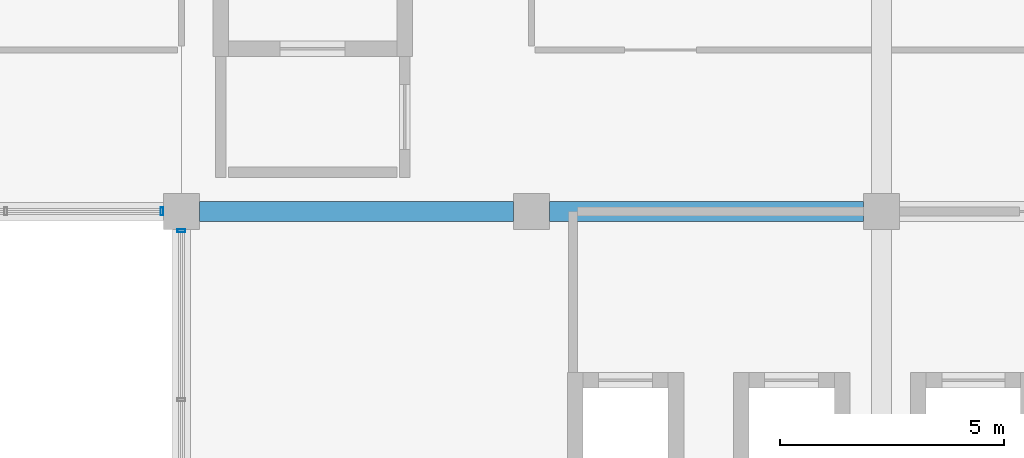
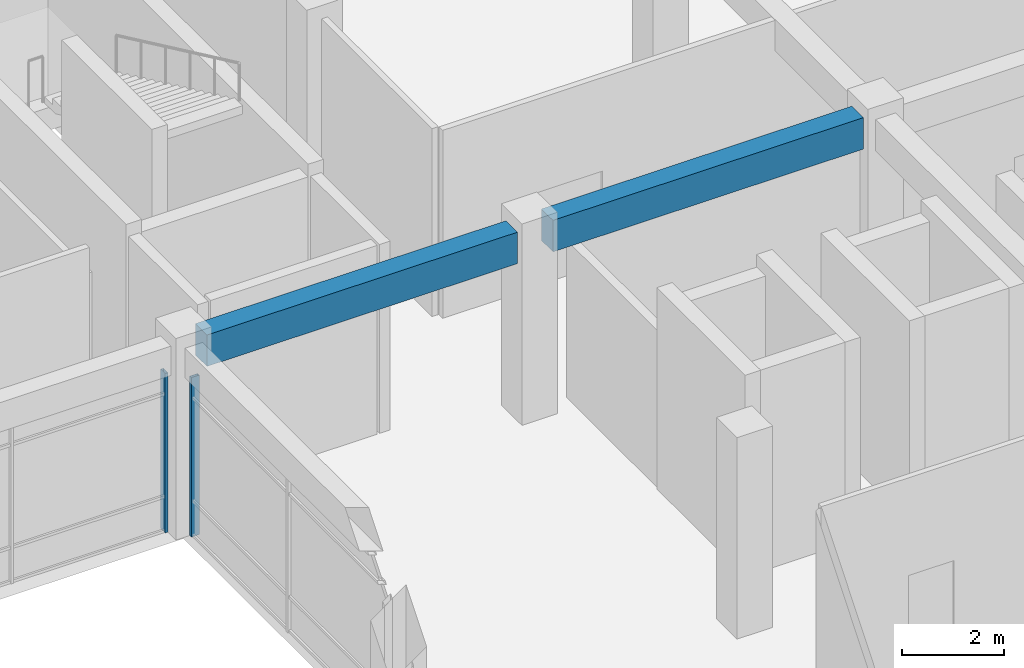
# One storey, part 27 of 62: 2 beams, 2 members, 2 elements without a shape of their own.
"""IFC4 building model written with IfcOpenShell, lengths in metres."""

import ifcopenshell
import ifcopenshell.guid

model = None  # the IFC model being written
_history = None  # IfcOwnerHistory: only IFC2X3 demands one
_inside = {}  # id of a spatial element -> (the spatial element, [elements in it])
_under = {}  # id of a project, library or spatial element -> (it, [spatial elements below it])
_declared = {}  # id of a project -> (the project, [libraries it declares])
_typed = {}  # id of a type object -> (the type object, [elements of that type])
_made_of = {}  # id of a material, layer set ... -> (it, [elements and type objects made of it])


def new_model(schema):
    """Start an empty IFC model of exactly this schema.

    Asked for "IFC4X3", IfcOpenShell would pick the latest addendum, in which some entities
    have other attributes; the version numbers below select the first issue.
    IFC2X3 requires an IfcOwnerHistory on every rooted entity: one is made here for all.
    """
    global model, _history
    if schema == "IFC4X3":
        model = ifcopenshell.file(schema_version=(4, 3, 0, 0))
    else:
        model = ifcopenshell.file(schema=schema)
    _inside.clear()
    _under.clear()
    _declared.clear()
    _typed.clear()
    _made_of.clear()
    _history = None
    if model.schema == "IFC2X3":
        org = make("IfcOrganization", Name="unknown")
        user = make(
            "IfcPersonAndOrganization",
            ThePerson=make("IfcPerson", FamilyName="unknown"),
            TheOrganization=org,
        )
        app = make(
            "IfcApplication",
            ApplicationDeveloper=org,
            Version="unknown",
            ApplicationFullName="unknown",
            ApplicationIdentifier="unknown",
        )
        _history = make(
            "IfcOwnerHistory",
            OwningUser=user,
            OwningApplication=app,
            ChangeAction="ADDED",
            CreationDate=0,
        )
    return model


def make(cls, **values):
    """One entity of the class cls with the attributes given. An attribute that is None is left unset."""
    return model.create_entity(
        cls, **{name: value for name, value in values.items() if value is not None}
    )


def rooted(cls, **values):
    """An entity with a GlobalId (a new one), such as an element, a storey or a relation."""
    return make(cls, GlobalId=ifcopenshell.guid.new(), OwnerHistory=_history, **values)


def si_unit(unit_type, name, prefix=None):
    """IfcSIUnit, for example si_unit("LENGTHUNIT", "METRE", prefix="MILLI")."""
    return make("IfcSIUnit", UnitType=unit_type, Prefix=prefix, Name=name)


def assignment(units):
    """IfcUnitAssignment: the units of a project."""
    return None if units is None else make("IfcUnitAssignment", Units=units)


def point(xyz):
    """IfcCartesianPoint."""
    return None if xyz is None else make("IfcCartesianPoint", Coordinates=xyz)


def direction(xyz):
    """IfcDirection."""
    return None if xyz is None else make("IfcDirection", DirectionRatios=xyz)


def frame(location, z_axis=None, x_axis=None):
    """IfcAxis2Placement3D, a coordinate frame: its origin and axes. An axis left out is left unset."""
    return make(
        "IfcAxis2Placement3D",
        Location=point(location),
        Axis=direction(z_axis),
        RefDirection=direction(x_axis),
    )


def frame_2d(location, x_axis=None):
    """IfcAxis2Placement2D, a coordinate frame in the plane: its origin and x axis."""
    return make(
        "IfcAxis2Placement2D", Location=point(location), RefDirection=direction(x_axis)
    )


def origin():
    """The frame at (0, 0, 0) with its axes left unset."""
    return frame((0.0, 0.0, 0.0))


def origin_2d():
    """The frame at (0, 0) in the plane with its x axis left unset."""
    return frame_2d((0.0, 0.0))


def place(relative_to, where):
    """IfcLocalPlacement: puts the frame where relative to a parent placement (None: the world)."""
    return make(
        "IfcLocalPlacement", PlacementRelTo=relative_to, RelativePlacement=where
    )


def context(
    kind, dimensions, precision=None, world=None, true_north=None, identifier=None
):
    """IfcGeometricRepresentationContext, for example the 3D "Model" context."""
    return make(
        "IfcGeometricRepresentationContext",
        ContextIdentifier=identifier,
        ContextType=kind,
        CoordinateSpaceDimension=dimensions,
        Precision=precision,
        WorldCoordinateSystem=world,
        TrueNorth=true_north,
    )


def subcontext(parent, identifier, kind, view, scale=None):
    """IfcGeometricRepresentationSubContext, for example "Body" below "Model"."""
    return make(
        "IfcGeometricRepresentationSubContext",
        ContextIdentifier=identifier,
        ContextType=kind,
        ParentContext=parent,
        TargetScale=scale,
        TargetView=view,
    )


def project(units=None, contexts=None):
    """IfcProject with its units and contexts."""
    return rooted(
        "IfcProject",
        Name="project",
        RepresentationContexts=contexts,
        UnitsInContext=assignment(units),
    )


def spatial(cls, under=None, at=None, **own):
    """A site, building, storey or space (cls), placed at a placement, below another one or the project."""
    s = rooted(cls, ObjectPlacement=at, **own)
    if under is not None:
        _under.setdefault(under.id(), (under, []))[1].append(s)
    return s


def profile(cls, at=None, kind="AREA", **sizes):
    """A parametric profile (cls). Its sizes go by their IFC names, for example OverallWidth=200.0."""
    return make(cls, ProfileType=kind, Position=at, **sizes)


def rectangle(**sizes):
    """IfcRectangleProfileDef."""
    return profile("IfcRectangleProfileDef", **sizes)


def hollow_rectangle(**sizes):
    """IfcRectangleHollowProfileDef."""
    return profile("IfcRectangleHollowProfileDef", **sizes)


def extrude(swept, where, along, depth):
    """IfcExtrudedAreaSolid: the profile swept, set in the frame where, extruded along a direction by depth."""
    return make(
        "IfcExtrudedAreaSolid",
        SweptArea=swept,
        Position=where,
        ExtrudedDirection=direction(along),
        Depth=depth,
    )


def shape(context_of_items, identifier, shape_type, items):
    """IfcShapeRepresentation: the items that make up one representation, for example the "Body"."""
    return make(
        "IfcShapeRepresentation",
        ContextOfItems=context_of_items,
        RepresentationIdentifier=identifier,
        RepresentationType=shape_type,
        Items=items,
    )


def material(Name=None, Category=None):
    """IfcMaterial."""
    return make("IfcMaterial", Name=Name, Category=Category)


def material_profile(
    of_material, cross_section, Name=None, Category=None, Priority=None
):
    """IfcMaterialProfile: a cross section and its material."""
    return make(
        "IfcMaterialProfile",
        Name=Name,
        Material=of_material,
        Profile=cross_section,
        Priority=Priority,
        Category=Category,
    )


def profile_set(profiles, Name=None, composite=None):
    """IfcMaterialProfileSet."""
    return make(
        "IfcMaterialProfileSet",
        Name=Name,
        MaterialProfiles=profiles,
        CompositeProfile=composite,
    )


def made_of(thing, what):
    """Note that an element or type object is made of a material, layer set ...; save() writes the relation."""
    if what is not None:
        _made_of.setdefault(what.id(), (what, []))[1].append(thing)
    return thing


def type_object(cls, material=None, **own):
    """A type object (cls), such as IfcWallType, which elements share."""
    return made_of(rooted(cls, **own), material)


def element(
    cls,
    number,
    at=None,
    inside=None,
    cuts=None,
    type_object=None,
    material=None,
    context=None,
    identifier="Body",
    shape_type=None,
    held_by="IfcProductDefinitionShape",
    body=None,
    shapes=None,
    **own,
):
    """One element of the class cls, such as IfcWall. Its Tag is "e" and its number.

    at: its placement. inside: the storey or other place that contains it. cuts: it is an
    opening in that element (IfcRelVoidsElement). A single representation is given by context,
    identifier, shape_type and body (its items); several are given by shapes. held_by: the class
    of the entity that holds the representations. save() writes the other relations.
    """
    e = rooted(cls, Tag="e%d" % number, ObjectPlacement=at, **own)
    if body is not None:
        shapes = [shape(context, identifier, shape_type, body)]
    if shapes is not None:
        e.Representation = make(held_by, Representations=shapes)
    if inside is not None:
        _inside.setdefault(inside.id(), (inside, []))[1].append(e)
    if cuts is not None:
        rooted(
            "IfcRelVoidsElement", RelatingBuildingElement=cuts, RelatedOpeningElement=e
        )
    if type_object is not None:
        _typed.setdefault(type_object.id(), (type_object, []))[1].append(e)
    return made_of(e, material)


def aggregate(whole, parts):
    """IfcRelAggregates: a whole, such as a stair, and the parts it consists of."""
    return rooted("IfcRelAggregates", RelatingObject=whole, RelatedObjects=parts)


def save(model, path):
    """Write the relations noted so far, then the file.

    IfcRelAggregates (storeys below a building ...), IfcRelContainedInSpatialStructure (elements
    in a storey), IfcRelDefinesByType, IfcRelAssociatesMaterial and IfcRelDeclares: one each for
    every whole, place, type object, material and project.
    """
    for whole, parts in _under.values():
        aggregate(whole, parts)
    for where, things in _inside.values():
        rooted(
            "IfcRelContainedInSpatialStructure",
            RelatedElements=things,
            RelatingStructure=where,
        )
    for kind, things in _typed.values():
        rooted("IfcRelDefinesByType", RelatedObjects=things, RelatingType=kind)
    for what, things in _made_of.values():
        rooted("IfcRelAssociatesMaterial", RelatedObjects=things, RelatingMaterial=what)
    for by, libraries in _declared.values():
        rooted("IfcRelDeclares", RelatingContext=by, RelatedDefinitions=libraries)
    model.write(path)


model = new_model("IFC4")

# Units and contexts
model_context = context("Model", 3, precision=1e-05, world=origin(), true_north=direction((0.0, 1.0)))
body_context = subcontext(model_context, "Body", "Model", "MODEL_VIEW")
ifc_project = project(units=[si_unit("LENGTHUNIT", "METRE"), si_unit("AREAUNIT", "SQUARE_METRE"), si_unit("VOLUMEUNIT", "CUBIC_METRE"), si_unit("PLANEANGLEUNIT", "RADIAN"), si_unit("MASSUNIT", "GRAM", prefix="KILO"), si_unit("THERMODYNAMICTEMPERATUREUNIT", "KELVIN"), si_unit("POWERUNIT", "WATT")], contexts=[model_context])

# Site, building, storey
site_placement = place(None, origin())
site = spatial("IfcSite", under=ifc_project, at=site_placement, CompositionType="ELEMENT")
building_placement = place(site_placement, origin())
building = spatial("IfcBuilding", under=site, at=building_placement, Name="Srebrne Nadtorze General Hospital", CompositionType="ELEMENT")
storey_placement = place(building_placement, frame((0.0, 0.0, 9.60009765625)))
storey = spatial("IfcBuildingStorey", under=building, at=storey_placement, Name="L02", CompositionType="ELEMENT", Elevation=9.60009765625)

# Curtain wall, member
ifc_material_1 = material(Name="Anodised Aluminium", Category="aluminium")
curtain_wall_type_1 = type_object("IfcCurtainWallType", Name="Unitised curtain wall 7025x3800", PredefinedType="NOTDEFINED", material=ifc_material_1)
curtain_wall_1_placement = place(storey_placement, origin())
curtain_wall_1 = element("IfcCurtainWall", 1, at=curtain_wall_1_placement, inside=storey, type_object=curtain_wall_type_1, Name="Curtain wall CW-081", PredefinedType="NOTDEFINED")
ifc_material_2 = material(Name="Anodised Aluminium", Category="aluminium")
ifc_material_profile_1 = material_profile(ifc_material_2, hollow_rectangle(XDim=0.06494140625, YDim=0.179931640625, WallThickness=0.00390625, at=origin_2d()), Name="AL-MUL-65x180")
ifc_profile_set_1 = profile_set([ifc_material_profile_1], Name="Anodised Aluminium")
member_type = type_object("IfcMemberType", Name="Curtain mullion 65x180", PredefinedType="MULLION", material=ifc_profile_set_1)
member_1_placement = place(storey_placement, frame((100.967529296875, 50.39990234375, 0.0), z_axis=(0.0, 0.0, 1.0), x_axis=(1.0, 0.0, 0.0)))
member_1 = element("IfcMember", 2, at=member_1_placement, type_object=member_type, Name="CW-081 mullion 3", PredefinedType="MULLION", context=body_context, shape_type="SweptSolid", body=[
    extrude(hollow_rectangle(XDim=0.06494140625, YDim=0.179931640625, WallThickness=0.00390625, at=origin_2d()), origin(), (0.0, 0.0, 1.0), 3.7998046875),
])
aggregate(curtain_wall_1, [member_1])

ifc_material_3 = material(Name="Anodised Aluminium", Category="aluminium")
curtain_wall_type_2 = type_object("IfcCurtainWallType", Name="Unitised curtain wall 7600x3800", PredefinedType="NOTDEFINED", material=ifc_material_3)
curtain_wall_2_placement = place(storey_placement, origin())
curtain_wall_2 = element("IfcCurtainWall", 3, at=curtain_wall_2_placement, inside=storey, type_object=curtain_wall_type_2, Name="Curtain wall CW-085", PredefinedType="NOTDEFINED")
member_2_placement = place(storey_placement, frame((101.39990234375, 49.967529296875, 0.0), z_axis=(0.0, 0.0, 1.0), x_axis=(0.0, 1.0, 0.0)))
member_2 = element("IfcMember", 4, at=member_2_placement, type_object=member_type, Name="CW-085 mullion 3", PredefinedType="MULLION", context=body_context, shape_type="SweptSolid", body=[
    extrude(hollow_rectangle(XDim=0.06494140625, YDim=0.179931640625, WallThickness=0.00390625, at=origin_2d()), origin(), (0.0, 0.0, 1.0), 3.7998046875),
])
aggregate(curtain_wall_2, [member_2])

# Beams
ifc_material_4 = material(Name="Concrete C40/50", Category="concrete")
ifc_material_profile_2 = material_profile(ifc_material_4, rectangle(XDim=0.449951171875, YDim=0.75, at=origin_2d()), Name="RC-BM-450x750")
ifc_profile_set_2 = profile_set([ifc_material_profile_2], Name="Concrete C40/50")
beam_type = type_object("IfcBeamType", Name="Primary beam RC 450x750", PredefinedType="BEAM", material=ifc_profile_set_2)
for number, where, z_axis, x_axis, name in (
    (5, (101.800048828125, 50.39990234375, 4.125), (1.0, 0.0, 0.0), (0.0, 1.0, 0.0), "Beam BM-L02-X-0588"),
    (6, (109.60009765625, 50.39990234375, 4.125), (1.0, 0.0, 0.0), (0.0, 1.0, 0.0), "Beam BM-L02-X-0589"),
):
    element("IfcBeam", number, at=place(storey_placement, frame(where, z_axis=z_axis, x_axis=x_axis)), inside=storey, type_object=beam_type, Name=name, PredefinedType="BEAM", context=body_context, shape_type="SweptSolid", body=[
        extrude(rectangle(XDim=0.449951171875, YDim=0.75, at=origin_2d()), origin(), (0.0, 0.0, 1.0), 7.0),
    ])

save(model, "model.ifc")
